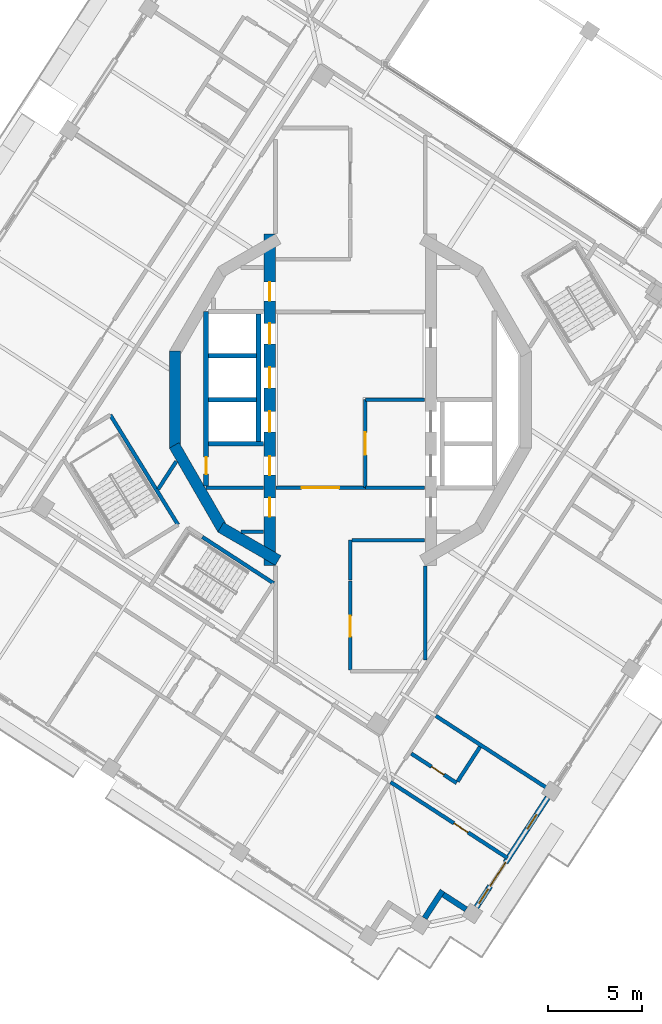
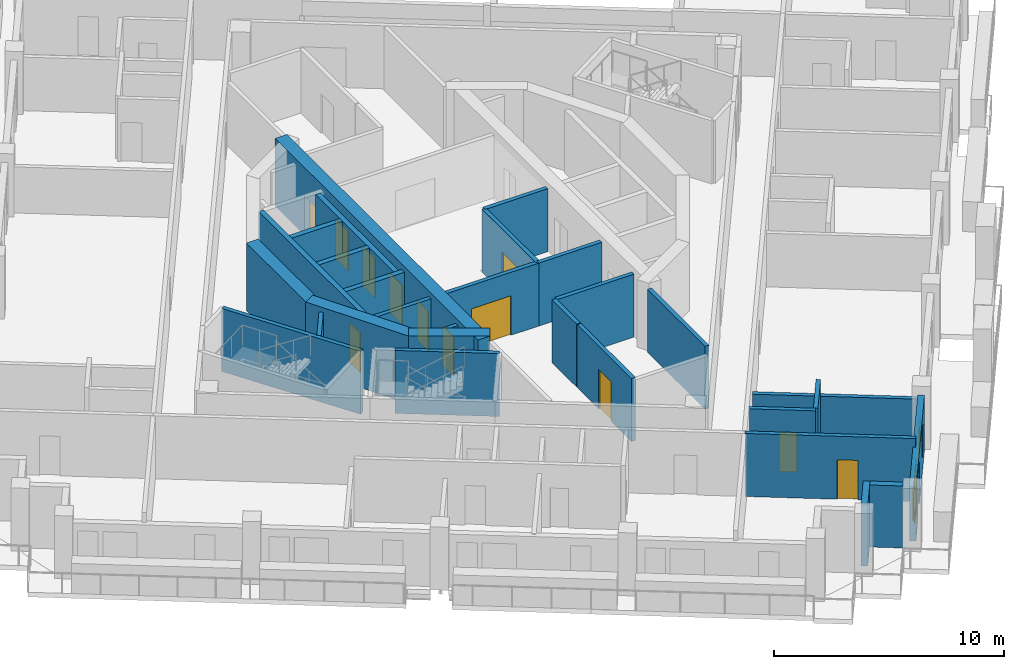
# One storey, part 7 of 17: 29 walls, 13 doors, 2 windows, 15 openings.
"""IFC4 building model written with IfcOpenShell, lengths in metres."""

from ifc_helpers import new_model, si_unit, direction, frame, frame_2d, origin, place, context, subcontext, project, spatial, rectangle, extrude, material, layer, layer_set, type_object, element, fill, save


model = new_model("IFC4")

# Units and contexts
model_context = context("Model", 3, precision=1e-05, world=origin(), true_north=direction((0.0, 1.0)))
body_context = subcontext(model_context, "Body", "Model", "MODEL_VIEW")
ifc_project = project(units=[si_unit("LENGTHUNIT", "METRE"), si_unit("AREAUNIT", "SQUARE_METRE"), si_unit("VOLUMEUNIT", "CUBIC_METRE"), si_unit("PLANEANGLEUNIT", "RADIAN"), si_unit("MASSUNIT", "GRAM", prefix="KILO")], contexts=[model_context])

# Site, building, storey
site_placement = place(None, origin())
site = spatial("IfcSite", under=ifc_project, at=site_placement, CompositionType="ELEMENT")
building_placement = place(site_placement, origin())
building = spatial("IfcBuilding", under=site, at=building_placement, Name="Cantera Rosa Tower", CompositionType="ELEMENT")
storey_placement = place(building_placement, frame((0.0, 0.0, 275.699951171875)))
storey = spatial("IfcBuildingStorey", under=building, at=storey_placement, Name="L62", CompositionType="ELEMENT", Elevation=275.699951171875)

# Wall, opening, door
ifc_material_1 = material(Name="Gypsum board partition")
ifc_layer_1 = layer(ifc_material_1, 0.199951171875)
ifc_layer_set_1 = layer_set([ifc_layer_1], Name="CORRIDOR WALL 200 H3350")
wall_type_1 = type_object("IfcWallType", Name="CORRIDOR WALL 200 H3350", PredefinedType="PARTITIONING", material=ifc_layer_set_1)
wall_1_placement = place(storey_placement, frame((0.0, -9.689208984375, 0.0), z_axis=(0.0, 0.0, 1.0), x_axis=(0.0, -1.0, 0.0)))
wall_1 = element("IfcWall", 1, at=wall_1_placement, inside=storey, type_object=wall_type_1, Name="CORRIDOR WALL L62-055", PredefinedType="PARTITIONING", context=body_context, shape_type="SweptSolid", body=[
    extrude(rectangle(XDim=4.730712890625, YDim=0.199951171875, at=frame_2d((2.365234375, 0.0))), origin(), (0.0, 0.0, 1.0), 3.35009765625),
])
opening_1_placement = place(wall_1_placement, frame((1.85546875, 0.0, 0.0)))
opening_1 = element("IfcOpeningElement", 2, at=opening_1_placement, cuts=wall_1, Name="Opening L62-014", PredefinedType="OPENING", context=body_context, shape_type="SweptSolid", body=[
    extrude(rectangle(XDim=1.10009765625, YDim=2.10009765625, at=frame_2d((0.550048828125, 1.050048828125))), frame((0.0, 0.10986328125, 0.0), z_axis=(0.0, -1.0, 0.0), x_axis=(1.0, 0.0, 0.0)), (0.0, 0.0, 1.0), 0.219970703125),
])
ifc_material_2 = material(Name="Timber door leaf", Category="wood")
door_type_1 = type_object("IfcDoorType", Name="ROOM DOOR 1100x2100", OperationType="NOTDEFINED", PredefinedType="DOOR", material=ifc_material_2)
door_1_placement = place(opening_1_placement, origin())
door_1 = element("IfcDoor", 3, at=door_1_placement, inside=storey, type_object=door_type_1, Name="DOOR L62-014", OperationType="NOTDEFINED", OverallHeight=2.10009765625, OverallWidth=1.10009765625, PredefinedType="DOOR", context=body_context, shape_type="SweptSolid", body=[
    extrude(rectangle(XDim=1.10009765625, YDim=2.10009765625, at=frame_2d((0.550048828125, 1.050048828125))), frame((0.0, 0.02490234375, 0.0), z_axis=(0.0, -1.0, 0.0), x_axis=(1.0, 0.0, 0.0)), (0.0, 0.0, 1.0), 0.050048828125),
])
fill(opening_1, door_1)

# Wall
wall_2_placement = place(storey_placement, frame((0.0, -7.5, 0.0), z_axis=(0.0, 0.0, 1.0), x_axis=(0.0, -1.0, 0.0)))
element("IfcWall", 4, at=wall_2_placement, inside=storey, type_object=wall_type_1, Name="CORRIDOR WALL L62-056", PredefinedType="PARTITIONING", context=body_context, shape_type="SweptSolid", body=[
    extrude(rectangle(XDim=2.12939453125, YDim=0.199951171875, at=frame_2d((1.064697265625, 0.0))), origin(), (0.0, 0.0, 1.0), 3.35009765625),
])

# Wall, opening, door
wall_3_placement = place(storey_placement, frame((0.800048828125, -4.699951171875, 0.0), z_axis=(0.0, 0.0, 1.0), x_axis=(-1.0, 0.0, 0.0)))
wall_3 = element("IfcWall", 5, at=wall_3_placement, inside=storey, type_object=wall_type_1, Name="CORRIDOR WALL L62-060", PredefinedType="PARTITIONING", context=body_context, shape_type="SweptSolid", body=[
    extrude(rectangle(XDim=4.77001953125, YDim=0.199951171875, at=frame_2d((2.385009765625, 0.0))), origin(), (0.0, 0.0, 1.0), 3.35009765625),
])
opening_2_placement = place(wall_3_placement, frame((1.39990234375, 0.0, 0.0)))
opening_2 = element("IfcOpeningElement", 6, at=opening_2_placement, cuts=wall_3, Name="Opening L62-011", PredefinedType="OPENING", context=body_context, shape_type="SweptSolid", body=[
    extrude(rectangle(XDim=2.0, YDim=2.10009765625, at=frame_2d((1.0, 1.050048828125))), frame((0.0, 0.10986328125, 0.0), z_axis=(0.0, -1.0, 0.0), x_axis=(1.0, 0.0, 0.0)), (0.0, 0.0, 1.0), 0.219970703125),
])
ifc_material_3 = material(Name="Steel S355J2 (EN 10025-2)", Category="steel")
door_type_2 = type_object("IfcDoorType", Name="LOBBY SCREEN DOOR 2000x2100", OperationType="NOTDEFINED", PredefinedType="DOOR", material=ifc_material_3)
door_2_placement = place(opening_2_placement, origin())
door_2 = element("IfcDoor", 7, at=door_2_placement, inside=storey, type_object=door_type_2, Name="DOOR L62-011", OperationType="NOTDEFINED", OverallHeight=2.10009765625, OverallWidth=2.0, PredefinedType="DOOR", context=body_context, shape_type="SweptSolid", body=[
    extrude(rectangle(XDim=2.0, YDim=2.10009765625, at=frame_2d((1.0, 1.050048828125))), frame((0.0, 0.02490234375, 0.0), z_axis=(0.0, -1.0, 0.0), x_axis=(1.0, 0.0, 0.0)), (0.0, 0.0, 1.0), 0.050048828125),
])
fill(opening_2, door_2)

# Walls
wall_4_placement = place(storey_placement, frame((3.969970703125, -7.5, 0.0), z_axis=(0.0, 0.0, 1.0), x_axis=(-1.0, 0.0, 0.0)))
element("IfcWall", 8, at=wall_4_placement, inside=storey, type_object=wall_type_1, Name="CORRIDOR WALL L62-066", PredefinedType="PARTITIONING", context=body_context, shape_type="SweptSolid", body=[
    extrude(rectangle(XDim=3.869873046875, YDim=0.199951171875, at=frame_2d((1.93505859375, 0.0))), origin(), (0.0, 0.0, 1.0), 3.35009765625),
])
ifc_material_4 = material(Name="Hollow clay masonry with cantera stone cladding", Category="masonry")
ifc_layer_2 = layer(ifc_material_4, 0.300048828125)
ifc_layer_set_2 = layer_set([ifc_layer_2], Name="EW-LOGGIA 300")
wall_type_2 = type_object("IfcWallType", Name="EW-LOGGIA 300", PredefinedType="SOLIDWALL", material=ifc_layer_set_2)
wall_5_placement = place(storey_placement, frame((3.966796875, -27.67529296875, 0.0), z_axis=(0.0, 0.0, 1.0), x_axis=(0.544679362749, 0.83864437743, 0.0)))
element("IfcWall", 9, at=wall_5_placement, inside=storey, type_object=wall_type_2, Name="EN-L62-W19a", PredefinedType="SOLIDWALL", context=body_context, shape_type="SweptSolid", body=[
    extrude(rectangle(XDim=1.75, YDim=0.300048828125, at=frame_2d((0.875, 0.0))), origin(), (0.0, 0.0, 1.0), 3.300048828125),
])
wall_6_placement = place(storey_placement, frame((4.964111328125, -26.415283203125, 0.0), z_axis=(0.0, 0.0, 1.0), x_axis=(0.838724343483, -0.544556218997, 0.0)))
element("IfcWall", 10, at=wall_6_placement, inside=storey, type_object=wall_type_2, Name="EN-L62-W19b", PredefinedType="SOLIDWALL", context=body_context, shape_type="SweptSolid", body=[
    extrude(rectangle(XDim=1.449951171875, YDim=0.300048828125, at=frame_2d((0.72509765625, 0.0))), origin(), (0.0, 0.0, 1.0), 3.300048828125),
])

# Wall, openings, windows, door
ifc_material_5 = material(Name="Hollow clay masonry with cantera stone cladding", Category="masonry")
ifc_layer_3 = layer(ifc_material_5, 0.300048828125)
ifc_layer_set_3 = layer_set([ifc_layer_3], Name="EW-LOGGIA 300 H2890")
wall_type_3 = type_object("IfcWallType", Name="EW-LOGGIA 300 H2890", PredefinedType="SOLIDWALL", material=ifc_layer_set_3)
wall_7_placement = place(storey_placement, frame((6.7333984375, -27.08740234375, 0.0), z_axis=(0.0, 0.0, 1.0), x_axis=(0.544651451949, 0.838662504164, 0.0)))
wall_7 = element("IfcWall", 11, at=wall_7_placement, inside=storey, type_object=wall_type_3, Name="EN-L62-W20", PredefinedType="SOLIDWALL", context=body_context, shape_type="SweptSolid", body=[
    extrude(rectangle(XDim=6.980224609375, YDim=0.300048828125, at=frame_2d((3.490234375, 0.0))), origin(), (0.0, 0.0, 1.0), 2.89013671875),
])
opening_3_placement = place(wall_7_placement, frame((0.2451171875, 0.0, 0.89990234375)))
opening_3 = element("IfcOpeningElement", 12, at=opening_3_placement, cuts=wall_7, Name="Opening L62-W34", PredefinedType="OPENING", context=body_context, shape_type="SweptSolid", body=[
    extrude(rectangle(XDim=0.89990234375, YDim=1.5, at=frame_2d((0.449951171875, 0.75))), frame((0.0, 0.159912109375, 0.0), z_axis=(0.0, -1.0, 0.0), x_axis=(1.0, 0.0, 0.0)), (0.0, 0.0, 1.0), 0.320068359375),
])
opening_4_placement = place(wall_7_placement, frame((1.344970703125, 0.0, 0.0)))
opening_4 = element("IfcOpeningElement", 13, at=opening_4_placement, cuts=wall_7, Name="Opening L62-TD35", PredefinedType="OPENING", context=body_context, shape_type="SweptSolid", body=[
    extrude(rectangle(XDim=1.5, YDim=2.39990234375, at=frame_2d((0.75, 1.199951171875))), frame((0.0, 0.159912109375, 0.0), z_axis=(0.0, -1.0, 0.0), x_axis=(1.0, 0.0, 0.0)), (0.0, 0.0, 1.0), 0.320068359375),
])
opening_5_placement = place(wall_7_placement, frame((4.985107421875, 0.0, 0.89990234375)))
opening_5 = element("IfcOpeningElement", 14, at=opening_5_placement, cuts=wall_7, Name="Opening L62-W36", PredefinedType="OPENING", context=body_context, shape_type="SweptSolid", body=[
    extrude(rectangle(XDim=0.89990234375, YDim=1.5, at=frame_2d((0.449951171875, 0.75))), frame((0.0, 0.159912109375, 0.0), z_axis=(0.0, -1.0, 0.0), x_axis=(1.0, 0.0, 0.0)), (0.0, 0.0, 1.0), 0.320068359375),
])
ifc_material_6 = material(Name="Aluminium frame with clear glass", Category="aluminium")
window_type = type_object("IfcWindowType", Name="Residential window 900x1500", PartitioningType="SINGLE_PANEL", PredefinedType="WINDOW", material=ifc_material_6)
window_1_placement = place(opening_3_placement, origin())
window_1 = element("IfcWindow", 15, at=window_1_placement, inside=storey, type_object=window_type, Name="WINDOW L62-W34", OverallHeight=1.5, OverallWidth=0.89990234375, PartitioningType="SINGLE_PANEL", PredefinedType="WINDOW", context=body_context, shape_type="SweptSolid", body=[
    extrude(rectangle(XDim=0.89990234375, YDim=1.5, at=frame_2d((0.449951171875, 0.75))), frame((0.0, 0.030029296875, 0.0), z_axis=(0.0, -1.0, 0.0), x_axis=(1.0, 0.0, 0.0)), (0.0, 0.0, 1.0), 0.06005859375),
])
fill(opening_3, window_1)
window_2_placement = place(opening_5_placement, origin())
window_2 = element("IfcWindow", 16, at=window_2_placement, inside=storey, type_object=window_type, Name="WINDOW L62-W36", OverallHeight=1.5, OverallWidth=0.89990234375, PartitioningType="SINGLE_PANEL", PredefinedType="WINDOW", context=body_context, shape_type="SweptSolid", body=[
    extrude(rectangle(XDim=0.89990234375, YDim=1.5, at=frame_2d((0.449951171875, 0.75))), frame((0.0, 0.030029296875, 0.0), z_axis=(0.0, -1.0, 0.0), x_axis=(1.0, 0.0, 0.0)), (0.0, 0.0, 1.0), 0.06005859375),
])
fill(opening_5, window_2)
ifc_material_7 = material(Name="Aluminium frame with clear glass", Category="aluminium")
door_type_3 = type_object("IfcDoorType", Name="TD-R 1500x2400", OperationType="NOTDEFINED", PredefinedType="DOOR", material=ifc_material_7)
door_3_placement = place(opening_4_placement, origin())
door_3 = element("IfcDoor", 17, at=door_3_placement, inside=storey, type_object=door_type_3, Name="LOGGIA DOOR L62-TD35", OperationType="SLIDING_TO_LEFT", OverallHeight=2.39990234375, OverallWidth=1.5, PredefinedType="DOOR", context=body_context, shape_type="SweptSolid", body=[
    extrude(rectangle(XDim=1.5, YDim=2.39990234375, at=frame_2d((0.75, 1.199951171875))), frame((0.0, 0.02490234375, 0.0), z_axis=(0.0, -1.0, 0.0), x_axis=(1.0, 0.0, 0.0)), (0.0, 0.0, 1.0), 0.050048828125),
])
fill(opening_4, door_3)

# Walls
ifc_material_8 = material(Name="Gypsum board partition")
ifc_layer_4 = layer(ifc_material_8, 0.199951171875)
ifc_layer_set_4 = layer_set([ifc_layer_4], Name="PARTITION 200 H3350")
wall_type_4 = type_object("IfcWallType", Name="PARTITION 200 H3350", PredefinedType="PARTITIONING", material=ifc_layer_set_4)
wall_8_placement = place(storey_placement, frame((-9.289794921875, -3.288330078125, 0.0), z_axis=(0.0, 0.0, 1.0), x_axis=(-0.544602939067, -0.838694007824, 0.0)))
element("IfcWall", 18, at=wall_8_placement, inside=storey, type_object=wall_type_4, Name="PARTITION L62-019", PredefinedType="PARTITIONING", context=body_context, shape_type="SweptSolid", body=[
    extrude(rectangle(XDim=1.781494140625, YDim=0.199951171875, at=frame_2d((0.890625, 0.0))), origin(), (0.0, 0.0, 1.0), 3.35009765625),
])
wall_9_placement = place(storey_placement, frame((-7.699951171875, -4.699951171875, 0.0), z_axis=(0.0, 0.0, 1.0), x_axis=(1.0, 0.0, 0.0)))
element("IfcWall", 19, at=wall_9_placement, inside=storey, type_object=wall_type_4, Name="PARTITION L62-026", PredefinedType="PARTITIONING", context=body_context, shape_type="SweptSolid", body=[
    extrude(rectangle(XDim=3.070068359375, YDim=0.199951171875, at=frame_2d((1.53515625, 0.0))), origin(), (0.0, 0.0, 1.0), 3.35009765625),
])
wall_10_placement = place(storey_placement, frame((-4.6298828125, -7.050048828125, 0.0), z_axis=(0.0, 0.0, 1.0), x_axis=(-1.0, 0.0, 0.0)))
element("IfcWall", 20, at=wall_10_placement, inside=storey, type_object=wall_type_4, Name="PARTITION L62-040", PredefinedType="PARTITIONING", context=body_context, shape_type="SweptSolid", body=[
    extrude(rectangle(XDim=1.2177734375, YDim=0.199951171875, at=frame_2d((0.60888671875, 0.0))), origin(), (0.0, 0.0, 1.0), 3.35009765625),
])

# Wall, opening, door
wall_11_placement = place(storey_placement, frame((2.148681640625, -20.41357421875, 0.0), z_axis=(0.0, 0.0, 1.0), x_axis=(0.83866516607, -0.544647353083, 0.0)))
wall_11 = element("IfcWall", 21, at=wall_11_placement, inside=storey, type_object=wall_type_4, Name="PARTITION L62-064", PredefinedType="PARTITIONING", context=body_context, shape_type="SweptSolid", body=[
    extrude(rectangle(XDim=7.449951171875, YDim=0.199951171875, at=frame_2d((3.72509765625, 0.0))), origin(), (0.0, 0.0, 1.0), 3.35009765625),
])
opening_6_placement = place(wall_11_placement, frame((4.030029296875, 0.0, 0.0)))
opening_6 = element("IfcOpeningElement", 22, at=opening_6_placement, cuts=wall_11, Name="Opening L62-047", PredefinedType="OPENING", context=body_context, shape_type="SweptSolid", body=[
    extrude(rectangle(XDim=0.89990234375, YDim=2.10009765625, at=frame_2d((0.449951171875, 1.050048828125))), frame((0.0, 0.10986328125, 0.0), z_axis=(0.0, -1.0, 0.0), x_axis=(1.0, 0.0, 0.0)), (0.0, 0.0, 1.0), 0.219970703125),
])
ifc_material_9 = material(Name="Timber door leaf", Category="wood")
door_type_4 = type_object("IfcDoorType", Name="ROOM DOOR 900x2100", OperationType="NOTDEFINED", PredefinedType="DOOR", material=ifc_material_9)
door_4_placement = place(opening_6_placement, origin())
door_4 = element("IfcDoor", 23, at=door_4_placement, inside=storey, type_object=door_type_4, Name="DOOR L62-047", OperationType="NOTDEFINED", OverallHeight=2.10009765625, OverallWidth=0.89990234375, PredefinedType="DOOR", context=body_context, shape_type="SweptSolid", body=[
    extrude(rectangle(XDim=0.89990234375, YDim=2.10009765625, at=frame_2d((0.449951171875, 1.050048828125))), frame((0.0, 0.02490234375, 0.0), z_axis=(0.0, -1.0, 0.0), x_axis=(1.0, 0.0, 0.0)), (0.0, 0.0, 1.0), 0.050048828125),
])
fill(opening_6, door_4)

# Wall
wall_12_placement = place(storey_placement, frame((4.0, -13.90087890625, 0.0), z_axis=(0.0, 0.0, 1.0), x_axis=(0.0, 1.0, 0.0)))
element("IfcWall", 24, at=wall_12_placement, inside=storey, type_object=wall_type_4, Name="PARTITION L62-068", PredefinedType="PARTITIONING", context=body_context, shape_type="SweptSolid", body=[
    extrude(rectangle(XDim=5.02197265625, YDim=0.199951171875, at=frame_2d((2.510986328125, 0.0))), origin(), (0.0, 0.0, 1.0), 3.35009765625),
])

# Wall, opening, door
wall_13_placement = place(storey_placement, frame((5.671875, -20.4599609375, 0.0), z_axis=(0.0, 0.0, 1.0), x_axis=(-0.838679811106, 0.544624801532, 0.0)))
wall_13 = element("IfcWall", 25, at=wall_13_placement, inside=storey, type_object=wall_type_4, Name="PARTITION L62-073", PredefinedType="PARTITIONING", context=body_context, shape_type="SweptSolid", body=[
    extrude(rectangle(XDim=2.880126953125, YDim=0.199951171875, at=frame_2d((1.43994140625, 0.0))), origin(), (0.0, 0.0, 1.0), 3.35009765625),
])
opening_7_placement = place(wall_13_placement, frame((0.800048828125, 0.0, 0.0)))
opening_7 = element("IfcOpeningElement", 26, at=opening_7_placement, cuts=wall_13, Name="Opening L62-046", PredefinedType="OPENING", context=body_context, shape_type="SweptSolid", body=[
    extrude(rectangle(XDim=0.800048828125, YDim=2.10009765625, at=frame_2d((0.39990234375, 1.050048828125))), frame((0.0, 0.10986328125, 0.0), z_axis=(0.0, -1.0, 0.0), x_axis=(1.0, 0.0, 0.0)), (0.0, 0.0, 1.0), 0.219970703125),
])
ifc_material_10 = material(Name="Timber door leaf", Category="wood")
door_type_5 = type_object("IfcDoorType", Name="BATHROOM DOOR 800x2100", OperationType="NOTDEFINED", PredefinedType="DOOR", material=ifc_material_10)
door_5_placement = place(opening_7_placement, origin())
door_5 = element("IfcDoor", 27, at=door_5_placement, inside=storey, type_object=door_type_5, Name="DOOR L62-046", OperationType="NOTDEFINED", OverallHeight=2.10009765625, OverallWidth=0.800048828125, PredefinedType="DOOR", context=body_context, shape_type="SweptSolid", body=[
    extrude(rectangle(XDim=0.800048828125, YDim=2.10009765625, at=frame_2d((0.39990234375, 1.050048828125))), frame((0.0, 0.02490234375, 0.0), z_axis=(0.0, -1.0, 0.0), x_axis=(1.0, 0.0, 0.0)), (0.0, 0.0, 1.0), 0.050048828125),
])
fill(opening_7, door_5)

# Walls
wall_14_placement = place(storey_placement, frame((6.924560546875, -18.531005859375, 0.0), z_axis=(0.0, 0.0, 1.0), x_axis=(-0.544672350866, -0.838648931438, 0.0)))
element("IfcWall", 28, at=wall_14_placement, inside=storey, type_object=wall_type_4, Name="PARTITION L62-076", PredefinedType="PARTITIONING", context=body_context, shape_type="SweptSolid", body=[
    extrude(rectangle(XDim=2.199951171875, YDim=0.199951171875, at=frame_2d((1.10009765625, 0.0))), origin(), (0.0, 0.0, 1.0), 3.35009765625),
])
ifc_material_11 = material(Name="Gypsum board partition")
ifc_layer_5 = layer(ifc_material_11, 0.199951171875)
ifc_layer_set_5 = layer_set([ifc_layer_5], Name="PARTY WALL 200 H2450")
wall_type_5 = type_object("IfcWallType", Name="PARTY WALL 200 H2450", PredefinedType="PARTITIONING", material=ifc_layer_set_5)
wall_15_placement = place(storey_placement, frame((10.727783203125, -20.881591796875, 0.0), z_axis=(0.0, 0.0, 1.0), x_axis=(-0.838659080818, 0.544656723232, 0.0)))
element("IfcWall", 29, at=wall_15_placement, inside=storey, type_object=wall_type_5, Name="PARTY WALL L62-082", PredefinedType="PARTITIONING", context=body_context, shape_type="SweptSolid", body=[
    extrude(rectangle(XDim=7.349853515625, YDim=0.199951171875, at=frame_2d((3.6748046875, 0.0))), origin(), (0.0, 0.0, 1.0), 2.449951171875),
])
ifc_material_12 = material(Name="Concrete C50/60", Category="concrete")
ifc_layer_6 = layer(ifc_material_12, 0.60009765625)
ifc_layer_set_6 = layer_set([ifc_layer_6], Name="RC CORE WALL 600 C50/60")
wall_type_6 = type_object("IfcWallType", Name="RC CORE WALL 600 C50/60", PredefinedType="SHEAR", material=ifc_layer_set_6)
wall_16_placement = place(storey_placement, frame((-3.85009765625, -8.584228515625, 0.0), z_axis=(0.0, 0.0, 1.0), x_axis=(-0.866039982607, 0.499974747889, 0.0)))
element("IfcWall", 30, at=wall_16_placement, inside=storey, type_object=wall_type_6, Name="CW-W1 L62", PredefinedType="SHEAR", context=body_context, shape_type="SweptSolid", body=[
    extrude(rectangle(XDim=3.546142578125, YDim=0.60009765625, at=frame_2d((1.77294921875, 0.0))), origin(), (0.0, 0.0, 1.0), 3.60009765625),
])
for number, where, z_axis, x_axis, name in (
    (31, (-6.811279296875, -6.921142578125, 0.0), (0.0, 0.0, 1.0), (-0.499989188378, 0.866031645787, 0.0), "CW-W2 L62"),
    (32, (-9.359375, -2.588134765625, 0.0), (0.0, 0.0, 1.0), (0.0, 1.0, 0.0), "CW-W3 L62"),
):
    element("IfcWall", number, at=place(storey_placement, frame(where, z_axis=z_axis, x_axis=x_axis)), inside=storey, type_object=wall_type_6, Name=name, PredefinedType="SHEAR", context=body_context, shape_type="SweptSolid", body=[
        extrude(rectangle(XDim=5.17626953125, YDim=0.60009765625, at=frame_2d((2.588134765625, 0.0))), origin(), (0.0, 0.0, 1.0), 3.60009765625),
    ])

# Wall, openings, doors
wall_17_placement = place(storey_placement, frame((-4.300048828125, 8.84423828125, 0.0), z_axis=(0.0, 0.0, 1.0), x_axis=(0.0, -1.0, 0.0)))
wall_17 = element("IfcWall", 33, at=wall_17_placement, inside=storey, type_object=wall_type_6, Name="CW-W6 L62", PredefinedType="SHEAR", context=body_context, shape_type="SweptSolid", body=[
    extrude(rectangle(XDim=17.6884765625, YDim=0.60009765625, at=frame_2d((8.84423828125, 0.0))), origin(), (0.0, 0.0, 1.0), 3.60009765625),
])
opening_8_placement = place(wall_17_placement, frame((9.468994140625, 0.0, 0.0)))
opening_8 = element("IfcOpeningElement", 34, at=opening_8_placement, cuts=wall_17, Name="Opening LD-H1-L62", PredefinedType="OPENING", context=body_context, shape_type="SweptSolid", body=[
    extrude(rectangle(XDim=1.10009765625, YDim=2.10009765625, at=frame_2d((0.550048828125, 1.050048828125))), frame((0.0, 0.31005859375, 0.0), z_axis=(0.0, -1.0, 0.0), x_axis=(1.0, 0.0, 0.0)), (0.0, 0.0, 1.0), 0.6201171875),
])
opening_9_placement = place(wall_17_placement, frame((7.119140625, 0.0, 0.0)))
opening_9 = element("IfcOpeningElement", 35, at=opening_9_placement, cuts=wall_17, Name="Opening LD-H2-L62", PredefinedType="OPENING", context=body_context, shape_type="SweptSolid", body=[
    extrude(rectangle(XDim=1.10009765625, YDim=2.10009765625, at=frame_2d((0.550048828125, 1.050048828125))), frame((0.0, 0.31005859375, 0.0), z_axis=(0.0, -1.0, 0.0), x_axis=(1.0, 0.0, 0.0)), (0.0, 0.0, 1.0), 0.6201171875),
])
opening_10_placement = place(wall_17_placement, frame((4.76904296875, 0.0, 0.0)))
opening_10 = element("IfcOpeningElement", 36, at=opening_10_placement, cuts=wall_17, Name="Opening LD-H3-L62", PredefinedType="OPENING", context=body_context, shape_type="SweptSolid", body=[
    extrude(rectangle(XDim=1.10009765625, YDim=2.10009765625, at=frame_2d((0.550048828125, 1.050048828125))), frame((0.0, 0.31005859375, 0.0), z_axis=(0.0, -1.0, 0.0), x_axis=(1.0, 0.0, 0.0)), (0.0, 0.0, 1.0), 0.6201171875),
])
opening_11_placement = place(wall_17_placement, frame((14.091552734375, 0.0, 0.0)))
opening_11 = element("IfcOpeningElement", 37, at=opening_11_placement, cuts=wall_17, Name="Opening SD-L62-15", PredefinedType="OPENING", context=body_context, shape_type="SweptSolid", body=[
    extrude(rectangle(XDim=1.0, YDim=2.10009765625, at=frame_2d((0.5, 1.050048828125))), frame((0.0, 0.31005859375, 0.0), z_axis=(0.0, -1.0, 0.0), x_axis=(1.0, 0.0, 0.0)), (0.0, 0.0, 1.0), 0.6201171875),
])
opening_12_placement = place(wall_17_placement, frame((2.572265625, 0.0, 0.0)))
opening_12 = element("IfcOpeningElement", 38, at=opening_12_placement, cuts=wall_17, Name="Opening SD-L62-16", PredefinedType="OPENING", context=body_context, shape_type="SweptSolid", body=[
    extrude(rectangle(XDim=1.0, YDim=2.10009765625, at=frame_2d((0.5, 1.050048828125))), frame((0.0, 0.31005859375, 0.0), z_axis=(0.0, -1.0, 0.0), x_axis=(1.0, 0.0, 0.0)), (0.0, 0.0, 1.0), 0.6201171875),
])
opening_13_placement = place(wall_17_placement, frame((11.869140625, 0.0, 0.0)))
opening_13 = element("IfcOpeningElement", 39, at=opening_13_placement, cuts=wall_17, Name="Opening SD-L62-17", PredefinedType="OPENING", context=body_context, shape_type="SweptSolid", body=[
    extrude(rectangle(XDim=1.0, YDim=2.10009765625, at=frame_2d((0.5, 1.050048828125))), frame((0.0, 0.31005859375, 0.0), z_axis=(0.0, -1.0, 0.0), x_axis=(1.0, 0.0, 0.0)), (0.0, 0.0, 1.0), 0.6201171875),
])
ifc_material_13 = material(Name="Steel S355J2 (EN 10025-2)", Category="steel")
door_type_6 = type_object("IfcDoorType", Name="LANDING DOOR 1100x2100", OperationType="NOTDEFINED", PredefinedType="DOOR", material=ifc_material_13)
door_6_placement = place(opening_8_placement, origin())
door_6 = element("IfcDoor", 40, at=door_6_placement, inside=storey, type_object=door_type_6, Name="LANDING DOOR H1 L62", OperationType="SLIDING_TO_LEFT", OverallHeight=2.10009765625, OverallWidth=1.10009765625, PredefinedType="DOOR", context=body_context, shape_type="SweptSolid", body=[
    extrude(rectangle(XDim=1.10009765625, YDim=2.10009765625, at=frame_2d((0.550048828125, 1.050048828125))), frame((0.0, 0.02490234375, 0.0), z_axis=(0.0, -1.0, 0.0), x_axis=(1.0, 0.0, 0.0)), (0.0, 0.0, 1.0), 0.050048828125),
])
fill(opening_8, door_6)
door_7_placement = place(opening_9_placement, origin())
door_7 = element("IfcDoor", 41, at=door_7_placement, inside=storey, type_object=door_type_6, Name="LANDING DOOR H2 L62", OperationType="SLIDING_TO_LEFT", OverallHeight=2.10009765625, OverallWidth=1.10009765625, PredefinedType="DOOR", context=body_context, shape_type="SweptSolid", body=[
    extrude(rectangle(XDim=1.10009765625, YDim=2.10009765625, at=frame_2d((0.550048828125, 1.050048828125))), frame((0.0, 0.02490234375, 0.0), z_axis=(0.0, -1.0, 0.0), x_axis=(1.0, 0.0, 0.0)), (0.0, 0.0, 1.0), 0.050048828125),
])
fill(opening_9, door_7)
door_8_placement = place(opening_10_placement, origin())
door_8 = element("IfcDoor", 42, at=door_8_placement, inside=storey, type_object=door_type_6, Name="LANDING DOOR H3 L62", OperationType="SLIDING_TO_LEFT", OverallHeight=2.10009765625, OverallWidth=1.10009765625, PredefinedType="DOOR", context=body_context, shape_type="SweptSolid", body=[
    extrude(rectangle(XDim=1.10009765625, YDim=2.10009765625, at=frame_2d((0.550048828125, 1.050048828125))), frame((0.0, 0.02490234375, 0.0), z_axis=(0.0, -1.0, 0.0), x_axis=(1.0, 0.0, 0.0)), (0.0, 0.0, 1.0), 0.050048828125),
])
fill(opening_10, door_8)
ifc_material_14 = material(Name="Timber door leaf", Category="wood")
door_type_7 = type_object("IfcDoorType", Name="SERVICE DOOR 1000x2100", OperationType="NOTDEFINED", PredefinedType="DOOR", material=ifc_material_14)
door_9_placement = place(opening_11_placement, origin())
door_9 = element("IfcDoor", 43, at=door_9_placement, inside=storey, type_object=door_type_7, Name="DOOR L62-SD15", OperationType="NOTDEFINED", OverallHeight=2.10009765625, OverallWidth=1.0, PredefinedType="DOOR", context=body_context, shape_type="SweptSolid", body=[
    extrude(rectangle(XDim=1.0, YDim=2.10009765625, at=frame_2d((0.5, 1.050048828125))), frame((0.0, 0.02490234375, 0.0), z_axis=(0.0, -1.0, 0.0), x_axis=(1.0, 0.0, 0.0)), (0.0, 0.0, 1.0), 0.050048828125),
])
fill(opening_11, door_9)
door_10_placement = place(opening_12_placement, origin())
door_10 = element("IfcDoor", 44, at=door_10_placement, inside=storey, type_object=door_type_7, Name="DOOR L62-SD16", OperationType="NOTDEFINED", OverallHeight=2.10009765625, OverallWidth=1.0, PredefinedType="DOOR", context=body_context, shape_type="SweptSolid", body=[
    extrude(rectangle(XDim=1.0, YDim=2.10009765625, at=frame_2d((0.5, 1.050048828125))), frame((0.0, 0.02490234375, 0.0), z_axis=(0.0, -1.0, 0.0), x_axis=(1.0, 0.0, 0.0)), (0.0, 0.0, 1.0), 0.050048828125),
])
fill(opening_12, door_10)
door_11_placement = place(opening_13_placement, origin())
door_11 = element("IfcDoor", 45, at=door_11_placement, inside=storey, type_object=door_type_7, Name="DOOR L62-SD17", OperationType="NOTDEFINED", OverallHeight=2.10009765625, OverallWidth=1.0, PredefinedType="DOOR", context=body_context, shape_type="SweptSolid", body=[
    extrude(rectangle(XDim=1.0, YDim=2.10009765625, at=frame_2d((0.5, 1.050048828125))), frame((0.0, 0.02490234375, 0.0), z_axis=(0.0, -1.0, 0.0), x_axis=(1.0, 0.0, 0.0)), (0.0, 0.0, 1.0), 0.050048828125),
])
fill(opening_13, door_11)

# Walls
ifc_material_15 = material(Name="Masonry blockwork", Category="masonry")
ifc_layer_7 = layer(ifc_material_15, 0.25)
ifc_layer_set_7 = layer_set([ifc_layer_7], Name="SHAFT WALL 250 H3350")
wall_type_7 = type_object("IfcWallType", Name="SHAFT WALL 250 H3350", PredefinedType="SOLIDWALL", material=ifc_layer_set_7)
for number, where, z_axis, x_axis, name in (
    (46, (-7.574951171875, 0.0, 0.0), (0.0, 0.0, 1.0), (1.0, 0.0, 0.0), "SHAFT WALL L62-027"),
    (47, (-7.574951171875, 2.35009765625, 0.0), (0.0, 0.0, 1.0), (1.0, 0.0, 0.0), "SHAFT WALL L62-028"),
):
    element("IfcWall", number, at=place(storey_placement, frame(where, z_axis=z_axis, x_axis=x_axis)), inside=storey, type_object=wall_type_7, Name=name, PredefinedType="SOLIDWALL", context=body_context, shape_type="SweptSolid", body=[
        extrude(rectangle(XDim=2.554931640625, YDim=0.25, at=frame_2d((1.27734375, 0.0))), origin(), (0.0, 0.0, 1.0), 3.35009765625),
    ])

# Wall, opening, door
wall_18_placement = place(storey_placement, frame((-7.699951171875, 4.699951171875, 0.0), z_axis=(0.0, 0.0, 1.0), x_axis=(0.0, -1.0, 0.0)))
wall_18 = element("IfcWall", 48, at=wall_18_placement, inside=storey, type_object=wall_type_7, Name="SHAFT WALL L62-029", PredefinedType="SOLIDWALL", context=body_context, shape_type="SweptSolid", body=[
    extrude(rectangle(XDim=9.320068359375, YDim=0.25, at=frame_2d((4.66015625, 0.0))), origin(), (0.0, 0.0, 1.0), 3.35009765625),
])
opening_14_placement = place(wall_18_placement, frame((7.7705078125, 0.0, 0.0)))
opening_14 = element("IfcOpeningElement", 49, at=opening_14_placement, cuts=wall_18, Name="Opening L62-052", PredefinedType="OPENING", context=body_context, shape_type="SweptSolid", body=[
    extrude(rectangle(XDim=0.89990234375, YDim=2.10009765625, at=frame_2d((0.449951171875, 1.050048828125))), frame((0.0, 0.135009765625, 0.0), z_axis=(0.0, -1.0, 0.0), x_axis=(1.0, 0.0, 0.0)), (0.0, 0.0, 1.0), 0.27001953125),
])
ifc_material_16 = material(Name="Timber door leaf", Category="wood")
door_type_8 = type_object("IfcDoorType", Name="SERVICE DOOR 900x2100", OperationType="NOTDEFINED", PredefinedType="DOOR", material=ifc_material_16)
door_12_placement = place(opening_14_placement, origin())
door_12 = element("IfcDoor", 50, at=door_12_placement, inside=storey, type_object=door_type_8, Name="RISER DOOR L62-052", OperationType="NOTDEFINED", OverallHeight=2.10009765625, OverallWidth=0.89990234375, PredefinedType="DOOR", context=body_context, shape_type="SweptSolid", body=[
    extrude(rectangle(XDim=0.89990234375, YDim=2.10009765625, at=frame_2d((0.449951171875, 1.050048828125))), frame((0.0, 0.02490234375, 0.0), z_axis=(0.0, -1.0, 0.0), x_axis=(1.0, 0.0, 0.0)), (0.0, 0.0, 1.0), 0.050048828125),
])
fill(opening_14, door_12)

# Walls
wall_19_placement = place(storey_placement, frame((-4.89990234375, -2.22509765625, 0.0), z_axis=(0.0, 0.0, 1.0), x_axis=(0.0, 1.0, 0.0)))
element("IfcWall", 51, at=wall_19_placement, inside=storey, type_object=wall_type_7, Name="SHAFT WALL L62-039", PredefinedType="SOLIDWALL", context=body_context, shape_type="SweptSolid", body=[
    extrude(rectangle(XDim=6.800048828125, YDim=0.25, at=frame_2d((3.39990234375, 0.0))), origin(), (0.0, 0.0, 1.0), 3.35009765625),
])
wall_20_placement = place(storey_placement, frame((-4.6298828125, -2.35009765625, 0.0), z_axis=(0.0, 0.0, 1.0), x_axis=(-1.0, 0.0, 0.0)))
element("IfcWall", 52, at=wall_20_placement, inside=storey, type_object=wall_type_7, Name="SHAFT WALL L62-041", PredefinedType="SOLIDWALL", context=body_context, shape_type="SweptSolid", body=[
    extrude(rectangle(XDim=2.945068359375, YDim=0.25, at=frame_2d((1.47265625, 0.0))), origin(), (0.0, 0.0, 1.0), 3.35009765625),
])
ifc_material_17 = material(Name="Concrete C50/60", Category="concrete")
ifc_layer_8 = layer(ifc_material_17, 0.199951171875)
ifc_layer_set_8 = layer_set([ifc_layer_8], Name="STAIR WALL 200 H3350")
wall_type_8 = type_object("IfcWallType", Name="STAIR WALL 200 H3350", PredefinedType="SOLIDWALL", material=ifc_layer_set_8)
wall_21_placement = place(storey_placement, frame((-9.199462890625, -6.674072265625, 0.0), z_axis=(0.0, 0.0, 1.0), x_axis=(-0.524972254536, 0.851119340614, 0.0)))
element("IfcWall", 53, at=wall_21_placement, inside=storey, type_object=wall_type_8, Name="STAIR WALL L62-020", PredefinedType="SOLIDWALL", context=body_context, shape_type="SweptSolid", body=[
    extrude(rectangle(XDim=6.880126953125, YDim=0.199951171875, at=frame_2d((3.43994140625, 0.0))), origin(), (0.0, 0.0, 1.0), 3.35009765625),
])

# Wall, opening, door
wall_22_placement = place(storey_placement, frame((0.800048828125, -4.699951171875, 0.0), z_axis=(0.0, 0.0, 1.0), x_axis=(0.0, 1.0, 0.0)))
wall_22 = element("IfcWall", 54, at=wall_22_placement, inside=storey, type_object=wall_type_8, Name="STAIR WALL L62-061", PredefinedType="SOLIDWALL", context=body_context, shape_type="SweptSolid", body=[
    extrude(rectangle(XDim=4.699951171875, YDim=0.199951171875, at=frame_2d((2.35009765625, 0.0))), origin(), (0.0, 0.0, 1.0), 3.35009765625),
])
opening_15_placement = place(wall_22_placement, frame((1.75, 0.0, 0.0)))
opening_15 = element("IfcOpeningElement", 55, at=opening_15_placement, cuts=wall_22, Name="Opening L62-012", PredefinedType="OPENING", context=body_context, shape_type="SweptSolid", body=[
    extrude(rectangle(XDim=1.199951171875, YDim=2.10009765625, at=frame_2d((0.60009765625, 1.050048828125))), frame((0.0, 0.10986328125, 0.0), z_axis=(0.0, -1.0, 0.0), x_axis=(1.0, 0.0, 0.0)), (0.0, 0.0, 1.0), 0.219970703125),
])
ifc_material_18 = material(Name="Steel S355J2 (EN 10025-2)", Category="steel")
door_type_9 = type_object("IfcDoorType", Name="FIRE DOOR 1200x2100", OperationType="NOTDEFINED", PredefinedType="DOOR", material=ifc_material_18)
door_13_placement = place(opening_15_placement, origin())
door_13 = element("IfcDoor", 56, at=door_13_placement, inside=storey, type_object=door_type_9, Name="DOOR L62-012", OperationType="NOTDEFINED", OverallHeight=2.10009765625, OverallWidth=1.199951171875, PredefinedType="DOOR", context=body_context, shape_type="SweptSolid", body=[
    extrude(rectangle(XDim=1.199951171875, YDim=2.10009765625, at=frame_2d((0.60009765625, 1.050048828125))), frame((0.0, 0.02490234375, 0.0), z_axis=(0.0, -1.0, 0.0), x_axis=(1.0, 0.0, 0.0)), (0.0, 0.0, 1.0), 0.050048828125),
])
fill(opening_15, door_13)

# Walls
for number, where, z_axis, x_axis, name in (
    (57, (0.800048828125, 0.0, 0.0), (0.0, 0.0, 1.0), (1.0, 0.0, 0.0), "STAIR WALL L62-062"),
    (58, (3.969970703125, -4.699951171875, 0.0), (0.0, 0.0, 1.0), (-1.0, 0.0, 0.0), "STAIR WALL L62-067"),
):
    element("IfcWall", number, at=place(storey_placement, frame(where, z_axis=z_axis, x_axis=x_axis)), inside=storey, type_object=wall_type_8, Name=name, PredefinedType="SOLIDWALL", context=body_context, shape_type="SweptSolid", body=[
        extrude(rectangle(XDim=3.169921875, YDim=0.199951171875, at=frame_2d((1.5849609375, 0.0))), origin(), (0.0, 0.0, 1.0), 3.35009765625),
    ])
wall_23_placement = place(storey_placement, frame((-7.89990234375, -7.3271484375, 0.0), z_axis=(0.0, 0.0, 1.0), x_axis=(0.8386764669, -0.544629951314, 0.0)))
element("IfcWall", 59, at=wall_23_placement, inside=storey, type_object=wall_type_8, Name="STAIR WALL L62-024 J", PredefinedType="SOLIDWALL", context=body_context, shape_type="SweptSolid", body=[
    extrude(rectangle(XDim=4.550048828125, YDim=0.199951171875, at=frame_2d((2.27490234375, 0.0))), origin(), (0.0, 0.0, 1.0), 3.35009765625),
])

save(model, "model.ifc")
